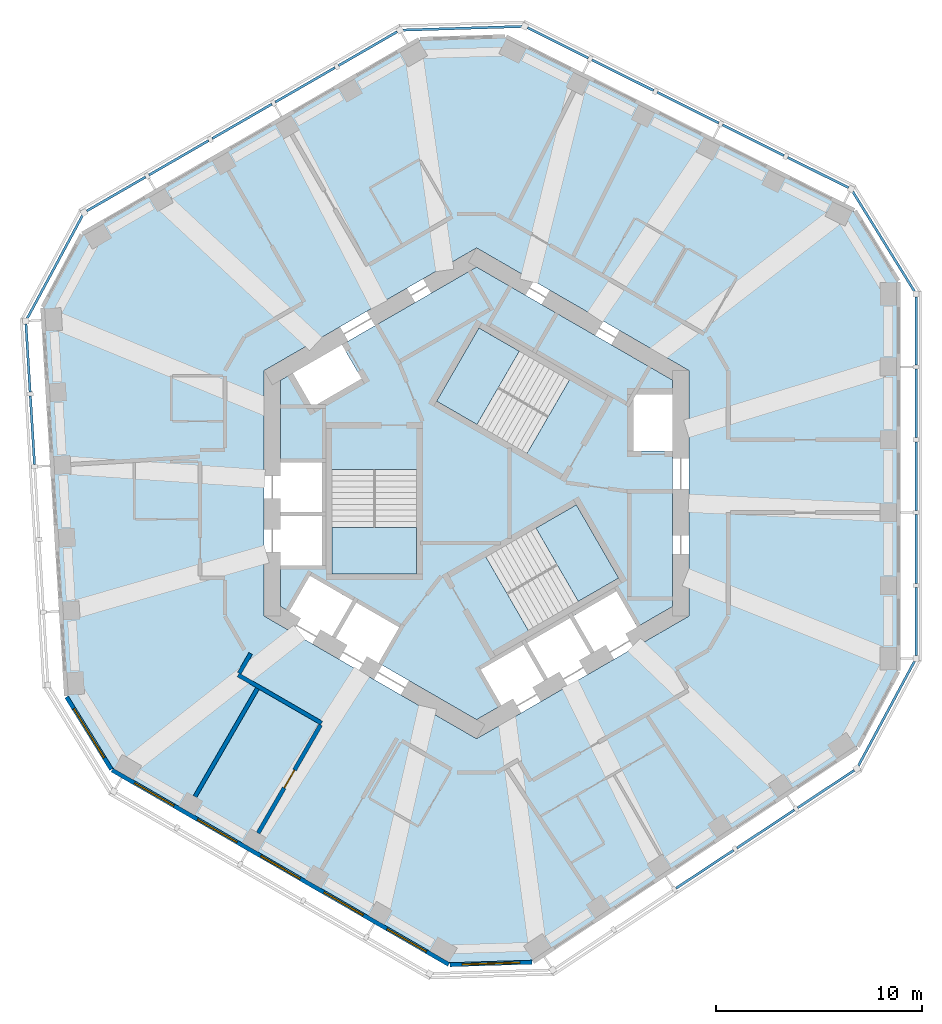
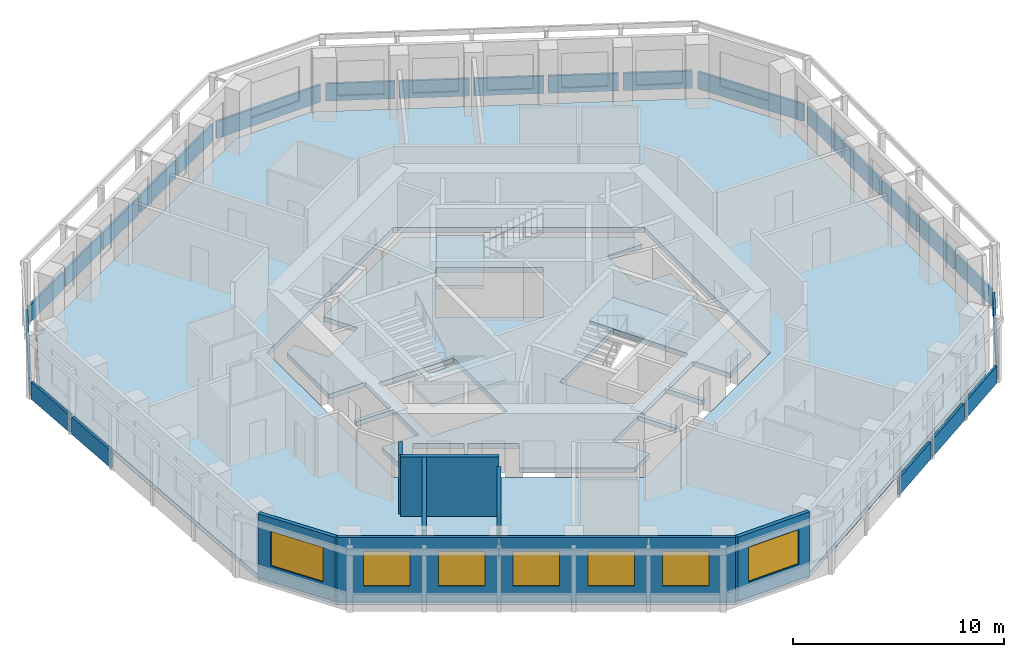
# One storey, part 3 of 11: 24 plates, 7 walls, 7 windows, 5 slabs, 1 door, 8 openings, 12 elements without a shape of their own.
"""IFC4 building model written with IfcOpenShell, lengths in metres."""

from ifc_helpers import new_model, si_unit, direction, frame, frame_2d, origin, origin_2d, place, context, subcontext, project, spatial, polyline, rectangle, outline, extrude, material, layer, layer_set, type_object, element, fill, aggregate, save


model = new_model("IFC4")

# Units and contexts
model_context = context("Model", 3, precision=1e-05, world=origin(), true_north=direction((0.0, 1.0)))
body_context = subcontext(model_context, "Body", "Model", "MODEL_VIEW")
ifc_project = project(units=[si_unit("LENGTHUNIT", "METRE"), si_unit("AREAUNIT", "SQUARE_METRE"), si_unit("VOLUMEUNIT", "CUBIC_METRE"), si_unit("PLANEANGLEUNIT", "RADIAN"), si_unit("MASSUNIT", "GRAM", prefix="KILO")], contexts=[model_context])

# Site, building, storey
site_placement = place(None, origin())
site = spatial("IfcSite", under=ifc_project, at=site_placement, CompositionType="ELEMENT")
building_placement = place(site_placement, origin())
building = spatial("IfcBuilding", under=site, at=building_placement, Name="Vanh Sen Convention Tower", CompositionType="ELEMENT")
storey_placement = place(building_placement, frame((0.0, 0.0, 229.10009765625)))
storey = spatial("IfcBuildingStorey", under=building, at=storey_placement, Name="L56", CompositionType="ELEMENT", Elevation=229.10009765625)

# Slabs
ifc_material_1 = material(Name="Concrete C40/50", Category="concrete")
ifc_layer_1 = layer(ifc_material_1, 0.280029296875)
ifc_layer_set_1 = layer_set([ifc_layer_1], Name="Concrete C40/50")
slab_type_1 = type_object("IfcSlabType", Name="Core slab 280", PredefinedType="FLOOR", material=ifc_layer_set_1)
slab_1_placement = place(storey_placement, frame((0.0, 0.0, -0.280029296875)))
element("IfcSlab", 1, at=slab_1_placement, inside=storey, type_object=slab_type_1, Name="Core slab L56", PredefinedType="FLOOR", context=body_context, shape_type="SweptSolid", body=[
    extrude(outline(polyline([(0.0, 10.9697265625), (9.5, 5.48486328125), (9.5, 4.800048828125), (7.60009765625, 4.800048828125), (7.60009765625, 2.050048828125), (9.5, 2.050048828125), (9.5, -5.48486328125), (7.781005859375, -6.477294921875), (6.781005859375, -4.7451171875), (4.70263671875, -5.9453125), (5.70263671875, -7.67724609375), (5.529296875, -7.777099609375), (4.529296875, -6.045166015625), (2.450927734375, -7.2451171875), (3.450927734375, -8.977294921875), (3.27783203125, -9.0771484375), (2.27783203125, -7.34521484375), (0.19921875, -8.545166015625), (1.19921875, -10.277099609375), (0.0, -10.9697265625), (-4.75, -8.227294921875), (-3.75, -6.4951171875), (-5.82861328125, -5.295166015625), (-6.82861328125, -7.027099609375), (-7.001708984375, -6.92724609375), (-6.001708984375, -5.1953125), (-8.080078125, -3.9951171875), (-9.080078125, -5.727294921875), (-9.5, -5.48486328125), (-9.5, -3.5), (-7.5, -3.5), (-7.5, -1.10009765625), (-9.5, -1.10009765625), (-9.5, -0.89990234375), (-7.5, -0.89990234375), (-7.5, 1.5), (-9.5, 1.5), (-9.5, 5.48486328125), (-8.906982421875, 5.8271484375), (-7.956787109375, 4.181884765625), (-5.575439453125, 5.556884765625), (-6.525390625, 7.2021484375), (0.0, 10.9697265625)]), holes=[polyline([(-7.0, 1.1494140625), (-7.0, -3.909912109375), (-2.89990234375, -3.909912109375), (-2.89990234375, 1.1494140625), (-7.0, 1.1494140625)]), polyline([(2.504638671875, -6.63671875), (6.88623046875, -4.107177734375), (4.836181640625, -0.556396484375), (0.45458984375, -3.086181640625), (2.504638671875, -6.63671875)]), polyline([(0.11376953125, 8.01708984375), (-1.936279296875, 4.466552734375), (2.4453125, 1.936767578125), (4.495361328125, 5.487548828125), (0.11376953125, 8.01708984375)])]), origin(), (0.0, 0.0, 1.0), 0.280029296875),
])
ifc_layer_2 = layer(ifc_material_1, 0.280029296875)
ifc_layer_set_2 = layer_set([ifc_layer_2], Name="Concrete C40/50")
slab_type_2 = type_object("IfcSlabType", Name="Floor slab 280 REI 120", PredefinedType="FLOOR", material=ifc_layer_set_2)
slab_2_placement = place(storey_placement, frame((0.0, 0.0, -0.280029296875)))
element("IfcSlab", 2, at=slab_2_placement, inside=storey, type_object=slab_type_2, Name="Floor slab L56 tower", PredefinedType="FLOOR", context=body_context, shape_type="SweptSolid", body=[
    extrude(outline(polyline([(20.39990234375, -8.602783203125), (20.39990234375, 10.265380859375), (18.289306640625, 13.67626953125), (1.403564453125, 22.09521484375), (-2.749755859375, 21.96826171875), (-19.090087890625, 12.5341796875), (-20.988525390625, 9.000732421875), (-19.8369140625, -9.83203125), (-17.650146484375, -13.365478515625), (-1.309814453125, -22.799560546875), (2.699462890625, -22.677001953125), (18.433349609375, -12.26318359375), (20.39990234375, -8.602783203125)]), holes=[polyline([(0.0, 11.893310546875), (-10.300048828125, 5.94677734375), (-10.300048828125, -5.94677734375), (0.0, -11.893310546875), (10.300048828125, -5.94677734375), (10.300048828125, 5.94677734375), (0.0, 11.893310546875)])]), origin(), (0.0, 0.0, 1.0), 0.280029296875),
])

# Curtain wall, plates
ifc_material_2 = material(Name="Concrete C50/60", Category="concrete")
curtain_wall_type = type_object("IfcCurtainWallType", Name="Outer skin office zone", PredefinedType="NOTDEFINED", material=ifc_material_2)
curtain_wall_1_placement = place(storey_placement, origin())
curtain_wall_1 = element("IfcCurtainWall", 3, at=curtain_wall_1_placement, inside=storey, type_object=curtain_wall_type, Name="OUTER SKIN E L56", PredefinedType="NOTDEFINED")
ifc_layer_3 = layer(ifc_material_2, 0.1201171875)
ifc_layer_set_3 = layer_set([ifc_layer_3], Name="Concrete C50/60")
plate_type = type_object("IfcPlateType", Name="Outer skin precast screen panel 120", PredefinedType="CURTAIN_PANEL", material=ifc_layer_set_3)
plate_1_placement = place(storey_placement, frame((21.300048828125, -6.2109375, 0.0), z_axis=(0.0, 0.0, 1.0), x_axis=(0.0, 1.0, 0.0)))
plate_1 = element("IfcPlate", 4, at=plate_1_placement, type_object=plate_type, Name="OUTER SKIN screen panel E-1", PredefinedType="CURTAIN_PANEL", context=body_context, shape_type="SweptSolid", body=[
    extrude(rectangle(XDim=3.28369140625, YDim=0.1201171875, at=origin_2d()), origin(), (0.0, 0.0, 1.0), 1.0),
])
plate_2_placement = place(storey_placement, frame((21.300048828125, -2.702392578125, 0.0), z_axis=(0.0, 0.0, 1.0), x_axis=(0.0, 1.0, 0.0)))
plate_2 = element("IfcPlate", 5, at=plate_2_placement, type_object=plate_type, Name="OUTER SKIN screen panel E-2", PredefinedType="CURTAIN_PANEL", context=body_context, shape_type="SweptSolid", body=[
    extrude(rectangle(XDim=3.333740234375, YDim=0.1201171875, at=origin_2d()), origin(), (0.0, 0.0, 1.0), 1.0),
])
plate_3_placement = place(storey_placement, frame((21.300048828125, 0.831298828125, 0.0), z_axis=(0.0, 0.0, 1.0), x_axis=(0.0, 1.0, 0.0)))
plate_3 = element("IfcPlate", 6, at=plate_3_placement, type_object=plate_type, Name="OUTER SKIN screen panel E-3", PredefinedType="CURTAIN_PANEL", context=body_context, shape_type="SweptSolid", body=[
    extrude(rectangle(XDim=3.33349609375, YDim=0.1201171875, at=origin_2d()), origin(), (0.0, 0.0, 1.0), 1.0),
])
plate_4_placement = place(storey_placement, frame((21.300048828125, 4.364990234375, 0.0), z_axis=(0.0, 0.0, 1.0), x_axis=(0.0, 1.0, 0.0)))
plate_4 = element("IfcPlate", 7, at=plate_4_placement, type_object=plate_type, Name="OUTER SKIN screen panel E-4", PredefinedType="CURTAIN_PANEL", context=body_context, shape_type="SweptSolid", body=[
    extrude(rectangle(XDim=3.33349609375, YDim=0.1201171875, at=origin_2d()), origin(), (0.0, 0.0, 1.0), 1.0),
])
plate_5_placement = place(storey_placement, frame((21.300048828125, 7.87353515625, 0.0), z_axis=(0.0, 0.0, 1.0), x_axis=(0.0, 1.0, 0.0)))
plate_5 = element("IfcPlate", 8, at=plate_5_placement, type_object=plate_type, Name="OUTER SKIN screen panel E-5", PredefinedType="CURTAIN_PANEL", context=body_context, shape_type="SweptSolid", body=[
    extrude(rectangle(XDim=3.28369140625, YDim=0.1201171875, at=origin_2d()), origin(), (0.0, 0.0, 1.0), 1.0),
])
aggregate(curtain_wall_1, [plate_1, plate_2, plate_3, plate_4, plate_5])

# Curtain wall, plate
curtain_wall_2_placement = place(storey_placement, origin())
curtain_wall_2 = element("IfcCurtainWall", 9, at=curtain_wall_2_placement, inside=storey, type_object=curtain_wall_type, Name="OUTER SKIN CH1 L56", PredefinedType="NOTDEFINED")
plate_6_placement = place(storey_placement, frame((19.726806640625, 12.20751953125, 0.0), z_axis=(0.0, 0.0, 1.0), x_axis=(-0.526216891938, 0.850350388157, 0.0)))
plate_6 = element("IfcPlate", 10, at=plate_6_placement, type_object=plate_type, Name="OUTER SKIN screen panel CH1-1", PredefinedType="CURTAIN_PANEL", context=body_context, shape_type="SweptSolid", body=[
    extrude(rectangle(XDim=5.6787109375, YDim=0.1201171875, at=origin_2d()), origin(), (0.0, 0.0, 1.0), 1.0),
])
aggregate(curtain_wall_2, [plate_6])

# Curtain wall, plates
curtain_wall_3_placement = place(storey_placement, origin())
curtain_wall_3 = element("IfcCurtainWall", 11, at=curtain_wall_3_placement, inside=storey, type_object=curtain_wall_type, Name="OUTER SKIN NE L56", PredefinedType="NOTDEFINED")
plate_7_placement = place(storey_placement, frame((16.55029296875, 15.549072265625, 0.0), z_axis=(0.0, 0.0, 1.0), x_axis=(-0.894930467757, 0.446205622868, 0.0)))
plate_7 = element("IfcPlate", 12, at=plate_7_placement, type_object=plate_type, Name="OUTER SKIN screen panel NE-1", PredefinedType="CURTAIN_PANEL", context=body_context, shape_type="SweptSolid", body=[
    extrude(rectangle(XDim=3.28369140625, YDim=0.1201171875, at=origin_2d()), origin(), (0.0, 0.0, 1.0), 1.0),
])
plate_8_placement = place(storey_placement, frame((13.410400390625, 17.114501953125, 0.0), z_axis=(0.0, 0.0, 1.0), x_axis=(-0.894935919121, 0.446194689197, 0.0)))
plate_8 = element("IfcPlate", 13, at=plate_8_placement, type_object=plate_type, Name="OUTER SKIN screen panel NE-2", PredefinedType="CURTAIN_PANEL", context=body_context, shape_type="SweptSolid", body=[
    extrude(rectangle(XDim=3.333740234375, YDim=0.1201171875, at=origin_2d()), origin(), (0.0, 0.0, 1.0), 1.0),
])
plate_9_placement = place(storey_placement, frame((10.248046875, 18.691162109375, 0.0), z_axis=(0.0, 0.0, 1.0), x_axis=(-0.894935919121, 0.446194689197, 0.0)))
plate_9 = element("IfcPlate", 14, at=plate_9_placement, type_object=plate_type, Name="OUTER SKIN screen panel NE-3", PredefinedType="CURTAIN_PANEL", context=body_context, shape_type="SweptSolid", body=[
    extrude(rectangle(XDim=3.333740234375, YDim=0.1201171875, at=origin_2d()), origin(), (0.0, 0.0, 1.0), 1.0),
])
plate_10_placement = place(storey_placement, frame((7.085693359375, 20.267822265625, 0.0), z_axis=(0.0, 0.0, 1.0), x_axis=(-0.894935919121, 0.446194689197, 0.0)))
plate_10 = element("IfcPlate", 15, at=plate_10_placement, type_object=plate_type, Name="OUTER SKIN screen panel NE-4", PredefinedType="CURTAIN_PANEL", context=body_context, shape_type="SweptSolid", body=[
    extrude(rectangle(XDim=3.333740234375, YDim=0.1201171875, at=origin_2d()), origin(), (0.0, 0.0, 1.0), 1.0),
])
plate_11_placement = place(storey_placement, frame((3.945556640625, 21.83349609375, 0.0), z_axis=(0.0, 0.0, 1.0), x_axis=(-0.894930467757, 0.446205622868, 0.0)))
plate_11 = element("IfcPlate", 16, at=plate_11_placement, type_object=plate_type, Name="OUTER SKIN screen panel NE-5", PredefinedType="CURTAIN_PANEL", context=body_context, shape_type="SweptSolid", body=[
    extrude(rectangle(XDim=3.28369140625, YDim=0.1201171875, at=origin_2d()), origin(), (0.0, 0.0, 1.0), 1.0),
])
aggregate(curtain_wall_3, [plate_7, plate_8, plate_9, plate_10, plate_11])

# Curtain wall, plate
curtain_wall_4_placement = place(storey_placement, origin())
curtain_wall_4 = element("IfcCurtainWall", 17, at=curtain_wall_4_placement, inside=storey, type_object=curtain_wall_type, Name="OUTER SKIN CH2 L56", PredefinedType="NOTDEFINED")
plate_12_placement = place(storey_placement, frame((-0.688720703125, 22.540283203125, 0.0), z_axis=(0.0, 0.0, 1.0), x_axis=(-0.999533430924, -0.030543746755, 0.0)))
plate_12 = element("IfcPlate", 18, at=plate_12_placement, type_object=plate_type, Name="OUTER SKIN screen panel CH2-1", PredefinedType="CURTAIN_PANEL", context=body_context, shape_type="SweptSolid", body=[
    extrude(rectangle(XDim=5.764404296875, YDim=0.1201171875, at=origin_2d()), origin(), (0.0, 0.0, 1.0), 1.0),
])
aggregate(curtain_wall_4, [plate_12])

# Curtain wall, plates
curtain_wall_5_placement = place(storey_placement, origin())
curtain_wall_5 = element("IfcCurtainWall", 19, at=curtain_wall_5_placement, inside=storey, type_object=curtain_wall_type, Name="OUTER SKIN NW L56", PredefinedType="NOTDEFINED")
plate_13_placement = place(storey_placement, frame((-5.271240234375, 21.5517578125, 0.0), z_axis=(0.0, 0.0, 1.0), x_axis=(-0.866026276448, -0.4999984885, 0.0)))
plate_13 = element("IfcPlate", 20, at=plate_13_placement, type_object=plate_type, Name="OUTER SKIN screen panel NW-1", PredefinedType="CURTAIN_PANEL", context=body_context, shape_type="SweptSolid", body=[
    extrude(rectangle(XDim=3.28369140625, YDim=0.1201171875, at=origin_2d()), origin(), (0.0, 0.0, 1.0), 1.0),
])
plate_14_placement = place(storey_placement, frame((-8.309814453125, 19.797607421875, 0.0), z_axis=(0.0, 0.0, 1.0), x_axis=(-0.866026276448, -0.4999984885, 0.0)))
plate_14 = element("IfcPlate", 21, at=plate_14_placement, type_object=plate_type, Name="OUTER SKIN screen panel NW-2", PredefinedType="CURTAIN_PANEL", context=body_context, shape_type="SweptSolid", body=[
    extrude(rectangle(XDim=3.33349609375, YDim=0.1201171875, at=origin_2d()), origin(), (0.0, 0.0, 1.0), 1.0),
])
plate_15_placement = place(storey_placement, frame((-11.369873046875, 18.03076171875, 0.0), z_axis=(0.0, 0.0, 1.0), x_axis=(-0.866026276448, -0.4999984885, 0.0)))
plate_15 = element("IfcPlate", 22, at=plate_15_placement, type_object=plate_type, Name="OUTER SKIN screen panel NW-3", PredefinedType="CURTAIN_PANEL", context=body_context, shape_type="SweptSolid", body=[
    extrude(rectangle(XDim=3.33349609375, YDim=0.1201171875, at=origin_2d()), origin(), (0.0, 0.0, 1.0), 1.0),
])
plate_16_placement = place(storey_placement, frame((-14.43017578125, 16.263916015625, 0.0), z_axis=(0.0, 0.0, 1.0), x_axis=(-0.866014058921, -0.500019649364, 0.0)))
plate_16 = element("IfcPlate", 23, at=plate_16_placement, type_object=plate_type, Name="OUTER SKIN screen panel NW-4", PredefinedType="CURTAIN_PANEL", context=body_context, shape_type="SweptSolid", body=[
    extrude(rectangle(XDim=3.333740234375, YDim=0.1201171875, at=origin_2d()), origin(), (0.0, 0.0, 1.0), 1.0),
])
plate_17_placement = place(storey_placement, frame((-17.46875, 14.509521484375, 0.0), z_axis=(0.0, 0.0, 1.0), x_axis=(-0.866033257659, -0.499986396443, 0.0)))
plate_17 = element("IfcPlate", 24, at=plate_17_placement, type_object=plate_type, Name="OUTER SKIN screen panel NW-5", PredefinedType="CURTAIN_PANEL", context=body_context, shape_type="SweptSolid", body=[
    extrude(rectangle(XDim=3.28369140625, YDim=0.1201171875, at=origin_2d()), origin(), (0.0, 0.0, 1.0), 1.0),
])
aggregate(curtain_wall_5, [plate_13, plate_14, plate_15, plate_16, plate_17])

# Curtain wall, plate
curtain_wall_6_placement = place(storey_placement, origin())
curtain_wall_6 = element("IfcCurtainWall", 25, at=curtain_wall_6_placement, inside=storey, type_object=curtain_wall_type, Name="OUTER SKIN CH3 L56", PredefinedType="NOTDEFINED")
plate_18_placement = place(storey_placement, frame((-20.435302734375, 10.980224609375, 0.0), z_axis=(0.0, 0.0, 1.0), x_axis=(-0.473307367584, -0.880897346909, 0.0)))
plate_18 = element("IfcPlate", 26, at=plate_18_placement, type_object=plate_type, Name="OUTER SKIN screen panel CH3-1", PredefinedType="CURTAIN_PANEL", context=body_context, shape_type="SweptSolid", body=[
    extrude(rectangle(XDim=5.6787109375, YDim=0.1201171875, at=origin_2d()), origin(), (0.0, 0.0, 1.0), 1.0),
])
aggregate(curtain_wall_6, [plate_18])

# Curtain wall, plates
curtain_wall_7_placement = place(storey_placement, origin())
curtain_wall_7 = element("IfcCurtainWall", 27, at=curtain_wall_7_placement, inside=storey, type_object=curtain_wall_type, Name="OUTER SKIN W L56", PredefinedType="NOTDEFINED")
plate_19_placement = place(storey_placement, frame((-21.740966796875, 6.55859375, 0.0), z_axis=(0.0, 0.0, 1.0), x_axis=(0.061043313312, -0.998135118058, 0.0)))
plate_19 = element("IfcPlate", 28, at=plate_19_placement, type_object=plate_type, Name="OUTER SKIN screen panel W-1", PredefinedType="CURTAIN_PANEL", context=body_context, shape_type="SweptSolid", body=[
    extrude(rectangle(XDim=3.28369140625, YDim=0.1201171875, at=origin_2d()), origin(), (0.0, 0.0, 1.0), 1.0),
])
plate_20_placement = place(storey_placement, frame((-21.526611328125, 3.056396484375, 0.0), z_axis=(0.0, 0.0, 1.0), x_axis=(0.061041571238, -0.998135224597, 0.0)))
plate_20 = element("IfcPlate", 29, at=plate_20_placement, type_object=plate_type, Name="OUTER SKIN screen panel W-2", PredefinedType="CURTAIN_PANEL", context=body_context, shape_type="SweptSolid", body=[
    extrude(rectangle(XDim=3.333740234375, YDim=0.1201171875, at=origin_2d()), origin(), (0.0, 0.0, 1.0), 1.0),
])
aggregate(curtain_wall_7, [plate_19, plate_20])

curtain_wall_8_placement = place(storey_placement, origin())
curtain_wall_8 = element("IfcCurtainWall", 30, at=curtain_wall_8_placement, inside=storey, type_object=curtain_wall_type, Name="OUTER SKIN SE L56", PredefinedType="NOTDEFINED")
plate_21_placement = place(storey_placement, frame((11.06298828125, -18.220703125, 0.0), z_axis=(0.0, 0.0, 1.0), x_axis=(0.833896418343, 0.551920975752, 0.0)))
plate_21 = element("IfcPlate", 31, at=plate_21_placement, type_object=plate_type, Name="OUTER SKIN screen panel SE-3", PredefinedType="CURTAIN_PANEL", context=body_context, shape_type="SweptSolid", body=[
    extrude(rectangle(XDim=3.333740234375, YDim=0.1201171875, at=origin_2d()), origin(), (0.0, 0.0, 1.0), 1.0),
])
plate_22_placement = place(storey_placement, frame((14.009765625, -16.270263671875, 0.0), z_axis=(0.0, 0.0, 1.0), x_axis=(0.833874262143, 0.551954450055, 0.0)))
plate_22 = element("IfcPlate", 32, at=plate_22_placement, type_object=plate_type, Name="OUTER SKIN screen panel SE-4", PredefinedType="CURTAIN_PANEL", context=body_context, shape_type="SweptSolid", body=[
    extrude(rectangle(XDim=3.33349609375, YDim=0.1201171875, at=origin_2d()), origin(), (0.0, 0.0, 1.0), 1.0),
])
plate_23_placement = place(storey_placement, frame((16.935546875, -14.333740234375, 0.0), z_axis=(0.0, 0.0, 1.0), x_axis=(0.833896418343, 0.551920975752, 0.0)))
plate_23 = element("IfcPlate", 33, at=plate_23_placement, type_object=plate_type, Name="OUTER SKIN screen panel SE-5", PredefinedType="CURTAIN_PANEL", context=body_context, shape_type="SweptSolid", body=[
    extrude(rectangle(XDim=3.28369140625, YDim=0.1201171875, at=origin_2d()), origin(), (0.0, 0.0, 1.0), 1.0),
])
aggregate(curtain_wall_8, [plate_21, plate_22, plate_23])

# Curtain wall, plate
curtain_wall_9_placement = place(storey_placement, origin())
curtain_wall_9 = element("IfcCurtainWall", 34, at=curtain_wall_9_placement, inside=storey, type_object=curtain_wall_type, Name="OUTER SKIN CH6 L56", PredefinedType="NOTDEFINED")
plate_24_placement = place(storey_placement, frame((19.864990234375, -10.673828125, 0.0), z_axis=(0.0, 0.0, 1.0), x_axis=(0.473313517396, 0.880894042579, 0.0)))
plate_24 = element("IfcPlate", 35, at=plate_24_placement, type_object=plate_type, Name="OUTER SKIN screen panel CH6-1", PredefinedType="CURTAIN_PANEL", context=body_context, shape_type="SweptSolid", body=[
    extrude(rectangle(XDim=5.76416015625, YDim=0.1201171875, at=origin_2d()), origin(), (0.0, 0.0, 1.0), 1.0),
])
aggregate(curtain_wall_9, [plate_24])

# Stair, slab
ifc_material_3 = material(Name="Concrete C50/60", Category="concrete")
stair_type_1 = type_object("IfcStairType", Name="Exit stair ST1 22 risers at 168.2", PredefinedType="HALF_TURN_STAIR", material=ifc_material_3)
stair_1_placement = place(storey_placement, origin())
stair_1 = element("IfcStair", 36, at=stair_1_placement, inside=storey, type_object=stair_type_1, Name="Exit stair ST1 L56", PredefinedType="HALF_TURN_STAIR")
ifc_layer_4 = layer(ifc_material_1, 0.199951171875)
ifc_layer_set_4 = layer_set([ifc_layer_4], Name="Concrete C40/50")
slab_type_3 = type_object("IfcSlabType", Name="Stair landing 200", PredefinedType="LANDING", material=ifc_layer_set_4)
slab_3_placement = place(storey_placement, frame((0.0, 0.0, 1.64990234375)))
slab_3 = element("IfcSlab", 37, at=slab_3_placement, type_object=slab_type_3, Name="ST1 landing 1", PredefinedType="LANDING", context=body_context, shape_type="SweptSolid", body=[
    extrude(outline(polyline([(2.07177734375, 6.88671875), (0.11376953125, 8.01708984375), (-1.936279296875, 4.466552734375), (0.021728515625, 3.336181640625), (2.07177734375, 6.88671875)])), origin(), (0.0, 0.0, 1.0), 0.199951171875),
])
aggregate(stair_1, [slab_3])

stair_type_2 = type_object("IfcStairType", Name="Exit stair ST2 22 risers at 168.2", PredefinedType="HALF_TURN_STAIR", material=ifc_material_3)
stair_2_placement = place(storey_placement, origin())
stair_2 = element("IfcStair", 38, at=stair_2_placement, inside=storey, type_object=stair_type_2, Name="Exit stair ST2 L56", PredefinedType="HALF_TURN_STAIR")
slab_4_placement = place(storey_placement, frame((0.0, 0.0, 1.64990234375)))
slab_4 = element("IfcSlab", 39, at=slab_4_placement, type_object=slab_type_3, Name="ST2 landing 1", PredefinedType="LANDING", context=body_context, shape_type="SweptSolid", body=[
    extrude(outline(polyline([(-7.0, -1.6494140625), (-7.0, -3.909912109375), (-2.89990234375, -3.909912109375), (-2.89990234375, -1.6494140625), (-7.0, -1.6494140625)])), origin(), (0.0, 0.0, 1.0), 0.199951171875),
])
aggregate(stair_2, [slab_4])

stair_type_3 = type_object("IfcStairType", Name="Exit stair ST3 22 risers at 168.2", PredefinedType="HALF_TURN_STAIR", material=ifc_material_3)
stair_3_placement = place(storey_placement, origin())
stair_3 = element("IfcStair", 40, at=stair_3_placement, inside=storey, type_object=stair_type_3, Name="Exit stair ST3 L56", PredefinedType="HALF_TURN_STAIR")
slab_5_placement = place(storey_placement, frame((0.0, 0.0, 1.64990234375)))
slab_5 = element("IfcSlab", 41, at=slab_5_placement, type_object=slab_type_3, Name="ST3 landing 1", PredefinedType="LANDING", context=body_context, shape_type="SweptSolid", body=[
    extrude(outline(polyline([(4.92822265625, -5.237548828125), (6.88623046875, -4.107177734375), (4.836181640625, -0.556396484375), (2.87841796875, -1.686767578125), (4.92822265625, -5.237548828125)])), origin(), (0.0, 0.0, 1.0), 0.199951171875),
])
aggregate(stair_3, [slab_5])

# Walls
ifc_material_4 = material(Name="Gypsum board on steel studs with mineral wool", Category="steel")
ifc_layer_5 = layer(ifc_material_4, 0.199951171875)
ifc_layer_set_5 = layer_set([ifc_layer_5], Name="Gypsum board on steel studs with mineral wool")
wall_type_1 = type_object("IfcWallType", Name="Corridor partition wall 200", PredefinedType="PARTITIONING", material=ifc_layer_set_5)
wall_1_placement = place(storey_placement, frame((-11.551025390625, -8.80517578125, 0.0), z_axis=(0.0, 0.0, 1.0), x_axis=(0.866038310922, -0.499977643516, 0.0)))
element("IfcWall", 42, at=wall_1_placement, inside=storey, type_object=wall_type_1, Name="Corridor partition wall 200", PredefinedType="PARTITIONING", context=body_context, shape_type="SweptSolid", body=[
    extrude(rectangle(XDim=4.665283203125, YDim=0.199951171875, at=frame_2d((2.33251953125, 0.0))), origin(), (0.0, 0.0, 1.0), 3.419921875),
])
wall_2_placement = place(storey_placement, frame((-10.95068359375, -7.764892578125, 0.0), z_axis=(0.0, 0.0, 1.0), x_axis=(-0.499978356969, -0.866037899034, 0.0)))
element("IfcWall", 43, at=wall_2_placement, inside=storey, type_object=wall_type_1, Name="Corridor partition wall 200", PredefinedType="PARTITIONING", context=body_context, shape_type="SweptSolid", body=[
    extrude(rectangle(XDim=1.10107421875, YDim=0.199951171875, at=frame_2d((0.550537109375, 0.0))), origin(), (0.0, 0.0, 1.0), 3.419921875),
])

# Wall, opening, door
wall_3_placement = place(storey_placement, frame((-10.585205078125, -16.462890625, 0.0), z_axis=(0.0, 0.0, 1.0), x_axis=(0.499993802756, 0.866028981735, 0.0)))
wall_3 = element("IfcWall", 44, at=wall_3_placement, inside=storey, type_object=wall_type_1, Name="Corridor partition wall 200", PredefinedType="PARTITIONING", context=body_context, shape_type="SweptSolid", body=[
    extrude(rectangle(XDim=6.048828125, YDim=0.199951171875, at=frame_2d((3.0244140625, 0.0))), origin(), (0.0, 0.0, 1.0), 2.869873046875),
])
opening_1_placement = place(wall_3_placement, frame((2.5244140625, 0.0, 0.0)))
opening_1 = element("IfcOpeningElement", 45, at=opening_1_placement, cuts=wall_3, Name="Opening D56111", PredefinedType="OPENING", context=body_context, shape_type="SweptSolid", body=[
    extrude(rectangle(XDim=1.0, YDim=2.10009765625, at=frame_2d((0.5, 1.050048828125))), frame((0.0, 0.10986328125, 0.0), z_axis=(0.0, -1.0, 0.0), x_axis=(1.0, 0.0, 0.0)), (0.0, 0.0, 1.0), 0.219970703125),
])
ifc_material_5 = material(Name="Glazed fire door in steel frame", Category="steel")
door_type = type_object("IfcDoorType", Name="Tenant entrance door 1000", OperationType="SINGLE_SWING_LEFT", PredefinedType="DOOR", material=ifc_material_5)
door_placement = place(opening_1_placement, origin())
door = element("IfcDoor", 46, at=door_placement, inside=storey, type_object=door_type, Name="Tenant suite entrance door D56111", OperationType="SINGLE_SWING_LEFT", OverallHeight=2.10009765625, OverallWidth=1.0, PredefinedType="DOOR", context=body_context, shape_type="SweptSolid", body=[
    extrude(rectangle(XDim=1.0, YDim=2.10009765625, at=frame_2d((0.5, 1.050048828125))), frame((0.0, 0.02490234375, 0.0), z_axis=(0.0, -1.0, 0.0), x_axis=(1.0, 0.0, 0.0)), (0.0, 0.0, 1.0), 0.050048828125),
])
fill(opening_1, door)

# Wall, opening, window
ifc_material_6 = material(Name="Insulated lightweight infill wall")
ifc_layer_6 = layer(ifc_material_6, 0.199951171875)
ifc_layer_set_6 = layer_set([ifc_layer_6], Name="Insulated lightweight infill wall")
wall_type_2 = type_object("IfcWallType", Name="External wall 200", PredefinedType="STANDARD", material=ifc_layer_set_6)
wall_4_placement = place(storey_placement, frame((-19.872802734375, -9.869140625, 0.0), z_axis=(0.0, 0.0, 1.0), x_axis=(0.52626914263, -0.850318051975, 0.0)))
wall_4 = element("IfcWall", 47, at=wall_4_placement, inside=storey, type_object=wall_type_2, Name="External wall CH4 L56", PredefinedType="STANDARD", context=body_context, shape_type="SweptSolid", body=[
    extrude(rectangle(XDim=4.130126953125, YDim=0.199951171875, at=frame_2d((2.06494140625, 0.0))), origin(), (0.0, 0.0, 1.0), 3.699951171875),
])
opening_2_placement = place(wall_4_placement, frame((0.6650390625, 0.0, 0.89990234375)))
opening_2 = element("IfcOpeningElement", 48, at=opening_2_placement, cuts=wall_4, Name="Opening WO4-CH41", PredefinedType="OPENING", context=body_context, shape_type="SweptSolid", body=[
    extrude(rectangle(XDim=2.800048828125, YDim=2.0, at=frame_2d((1.39990234375, 1.0))), frame((0.0, 0.10986328125, 0.0), z_axis=(0.0, -1.0, 0.0), x_axis=(1.0, 0.0, 0.0)), (0.0, 0.0, 1.0), 0.219970703125),
])
ifc_material_7 = material(Name="Aluminium frame with clear low-emissivity glass", Category="aluminium")
window_type_1 = type_object("IfcWindowType", Name="Office window 2800 x 2000", PartitioningType="SINGLE_PANEL", PredefinedType="WINDOW", material=ifc_material_7)
window_1_placement = place(opening_2_placement, origin())
window_1 = element("IfcWindow", 49, at=window_1_placement, inside=storey, type_object=window_type_1, Name="Window WO4-CH41", OverallHeight=2.0, OverallWidth=2.800048828125, PartitioningType="SINGLE_PANEL", PredefinedType="WINDOW", context=body_context, shape_type="SweptSolid", body=[
    extrude(rectangle(XDim=2.800048828125, YDim=2.0, at=frame_2d((1.39990234375, 1.0))), frame((0.0, 0.030029296875, 0.0), z_axis=(0.0, -1.0, 0.0), x_axis=(1.0, 0.0, 0.0)), (0.0, 0.0, 1.0), 0.06005859375),
])
fill(opening_2, window_1)

# Wall, openings, windows
wall_5_placement = place(storey_placement, frame((-17.664306640625, -13.4150390625, 0.0), z_axis=(0.0, 0.0, 1.0), x_axis=(0.866026555358, -0.49999800541, 0.0)))
wall_5 = element("IfcWall", 50, at=wall_5_placement, inside=storey, type_object=wall_type_2, Name="External wall SW L56", PredefinedType="STANDARD", context=body_context, shape_type="SweptSolid", body=[
    extrude(rectangle(XDim=18.84130859375, YDim=0.199951171875, at=frame_2d((9.420654296875, 0.0))), origin(), (0.0, 0.0, 1.0), 3.699951171875),
])
opening_3_placement = place(wall_5_placement, frame((1.254150390625, 0.0, 0.89990234375)))
opening_3 = element("IfcOpeningElement", 51, at=opening_3_placement, cuts=wall_5, Name="Opening WO3-SW1", PredefinedType="OPENING", context=body_context, shape_type="SweptSolid", body=[
    extrude(rectangle(XDim=2.199951171875, YDim=2.0, at=frame_2d((1.10009765625, 1.0))), frame((0.0, 0.10986328125, 0.0), z_axis=(0.0, -1.0, 0.0), x_axis=(1.0, 0.0, 0.0)), (0.0, 0.0, 1.0), 0.219970703125),
])
opening_4_placement = place(wall_5_placement, frame((4.787841796875, 0.0, 0.89990234375)))
opening_4 = element("IfcOpeningElement", 52, at=opening_4_placement, cuts=wall_5, Name="Opening WO3-SW2", PredefinedType="OPENING", context=body_context, shape_type="SweptSolid", body=[
    extrude(rectangle(XDim=2.199951171875, YDim=2.0, at=frame_2d((1.10009765625, 1.0))), frame((0.0, 0.10986328125, 0.0), z_axis=(0.0, -1.0, 0.0), x_axis=(1.0, 0.0, 0.0)), (0.0, 0.0, 1.0), 0.219970703125),
])
opening_5_placement = place(wall_5_placement, frame((8.321533203125, 0.0, 0.89990234375)))
opening_5 = element("IfcOpeningElement", 53, at=opening_5_placement, cuts=wall_5, Name="Opening WO3-SW3", PredefinedType="OPENING", context=body_context, shape_type="SweptSolid", body=[
    extrude(rectangle(XDim=2.199951171875, YDim=2.0, at=frame_2d((1.10009765625, 1.0))), frame((0.0, 0.10986328125, 0.0), z_axis=(0.0, -1.0, 0.0), x_axis=(1.0, 0.0, 0.0)), (0.0, 0.0, 1.0), 0.219970703125),
])
opening_6_placement = place(wall_5_placement, frame((11.85498046875, 0.0, 0.89990234375)))
opening_6 = element("IfcOpeningElement", 54, at=opening_6_placement, cuts=wall_5, Name="Opening WO3-SW4", PredefinedType="OPENING", context=body_context, shape_type="SweptSolid", body=[
    extrude(rectangle(XDim=2.199951171875, YDim=2.0, at=frame_2d((1.10009765625, 1.0))), frame((0.0, 0.10986328125, 0.0), z_axis=(0.0, -1.0, 0.0), x_axis=(1.0, 0.0, 0.0)), (0.0, 0.0, 1.0), 0.219970703125),
])
opening_7_placement = place(wall_5_placement, frame((15.388671875, 0.0, 0.89990234375)))
opening_7 = element("IfcOpeningElement", 55, at=opening_7_placement, cuts=wall_5, Name="Opening WO3-SW5", PredefinedType="OPENING", context=body_context, shape_type="SweptSolid", body=[
    extrude(rectangle(XDim=2.199951171875, YDim=2.0, at=frame_2d((1.10009765625, 1.0))), frame((0.0, 0.10986328125, 0.0), z_axis=(0.0, -1.0, 0.0), x_axis=(1.0, 0.0, 0.0)), (0.0, 0.0, 1.0), 0.219970703125),
])
window_type_2 = type_object("IfcWindowType", Name="Office window 2200 x 2000", PartitioningType="SINGLE_PANEL", PredefinedType="WINDOW", material=ifc_material_7)
window_2_placement = place(opening_3_placement, origin())
window_2 = element("IfcWindow", 56, at=window_2_placement, inside=storey, type_object=window_type_2, Name="Window WO3-SW1", OverallHeight=2.0, OverallWidth=2.199951171875, PartitioningType="SINGLE_PANEL", PredefinedType="WINDOW", context=body_context, shape_type="SweptSolid", body=[
    extrude(rectangle(XDim=2.199951171875, YDim=2.0, at=frame_2d((1.10009765625, 1.0))), frame((0.0, 0.030029296875, 0.0), z_axis=(0.0, -1.0, 0.0), x_axis=(1.0, 0.0, 0.0)), (0.0, 0.0, 1.0), 0.06005859375),
])
fill(opening_3, window_2)
window_3_placement = place(opening_4_placement, origin())
window_3 = element("IfcWindow", 57, at=window_3_placement, inside=storey, type_object=window_type_2, Name="Window WO3-SW2", OverallHeight=2.0, OverallWidth=2.199951171875, PartitioningType="SINGLE_PANEL", PredefinedType="WINDOW", context=body_context, shape_type="SweptSolid", body=[
    extrude(rectangle(XDim=2.199951171875, YDim=2.0, at=frame_2d((1.10009765625, 1.0))), frame((0.0, 0.030029296875, 0.0), z_axis=(0.0, -1.0, 0.0), x_axis=(1.0, 0.0, 0.0)), (0.0, 0.0, 1.0), 0.06005859375),
])
fill(opening_4, window_3)
window_4_placement = place(opening_5_placement, origin())
window_4 = element("IfcWindow", 58, at=window_4_placement, inside=storey, type_object=window_type_2, Name="Window WO3-SW3", OverallHeight=2.0, OverallWidth=2.199951171875, PartitioningType="SINGLE_PANEL", PredefinedType="WINDOW", context=body_context, shape_type="SweptSolid", body=[
    extrude(rectangle(XDim=2.199951171875, YDim=2.0, at=frame_2d((1.10009765625, 1.0))), frame((0.0, 0.030029296875, 0.0), z_axis=(0.0, -1.0, 0.0), x_axis=(1.0, 0.0, 0.0)), (0.0, 0.0, 1.0), 0.06005859375),
])
fill(opening_5, window_4)
window_5_placement = place(opening_6_placement, origin())
window_5 = element("IfcWindow", 59, at=window_5_placement, inside=storey, type_object=window_type_2, Name="Window WO3-SW4", OverallHeight=2.0, OverallWidth=2.199951171875, PartitioningType="SINGLE_PANEL", PredefinedType="WINDOW", context=body_context, shape_type="SweptSolid", body=[
    extrude(rectangle(XDim=2.199951171875, YDim=2.0, at=frame_2d((1.10009765625, 1.0))), frame((0.0, 0.030029296875, 0.0), z_axis=(0.0, -1.0, 0.0), x_axis=(1.0, 0.0, 0.0)), (0.0, 0.0, 1.0), 0.06005859375),
])
fill(opening_6, window_5)
window_6_placement = place(opening_7_placement, origin())
window_6 = element("IfcWindow", 60, at=window_6_placement, inside=storey, type_object=window_type_2, Name="Window WO3-SW5", OverallHeight=2.0, OverallWidth=2.199951171875, PartitioningType="SINGLE_PANEL", PredefinedType="WINDOW", context=body_context, shape_type="SweptSolid", body=[
    extrude(rectangle(XDim=2.199951171875, YDim=2.0, at=frame_2d((1.10009765625, 1.0))), frame((0.0, 0.030029296875, 0.0), z_axis=(0.0, -1.0, 0.0), x_axis=(1.0, 0.0, 0.0)), (0.0, 0.0, 1.0), 0.06005859375),
])
fill(opening_7, window_6)

# Wall, opening, window
wall_6_placement = place(storey_placement, frame((-1.294189453125, -22.84912109375, 0.0), z_axis=(0.0, 0.0, 1.0), x_axis=(0.999533952558, 0.030526671678, 0.0)))
wall_6 = element("IfcWall", 61, at=wall_6_placement, inside=storey, type_object=wall_type_2, Name="External wall CH5 L56", PredefinedType="STANDARD", context=body_context, shape_type="SweptSolid", body=[
    extrude(rectangle(XDim=3.98291015625, YDim=0.199951171875, at=frame_2d((1.991455078125, 0.0))), origin(), (0.0, 0.0, 1.0), 3.699951171875),
])
opening_8_placement = place(wall_6_placement, frame((0.59130859375, 0.0, 0.89990234375)))
opening_8 = element("IfcOpeningElement", 62, at=opening_8_placement, cuts=wall_6, Name="Opening WO4-CH51", PredefinedType="OPENING", context=body_context, shape_type="SweptSolid", body=[
    extrude(rectangle(XDim=2.800048828125, YDim=2.0, at=frame_2d((1.39990234375, 1.0))), frame((0.0, 0.10986328125, 0.0), z_axis=(0.0, -1.0, 0.0), x_axis=(1.0, 0.0, 0.0)), (0.0, 0.0, 1.0), 0.219970703125),
])
window_7_placement = place(opening_8_placement, origin())
window_7 = element("IfcWindow", 63, at=window_7_placement, inside=storey, type_object=window_type_1, Name="Window WO4-CH51", OverallHeight=2.0, OverallWidth=2.800048828125, PartitioningType="SINGLE_PANEL", PredefinedType="WINDOW", context=body_context, shape_type="SweptSolid", body=[
    extrude(rectangle(XDim=2.800048828125, YDim=2.0, at=frame_2d((1.39990234375, 1.0))), frame((0.0, 0.030029296875, 0.0), z_axis=(0.0, -1.0, 0.0), x_axis=(1.0, 0.0, 0.0)), (0.0, 0.0, 1.0), 0.06005859375),
])
fill(opening_8, window_7)

# Wall
ifc_layer_7 = layer(ifc_material_4, 0.199951171875)
ifc_layer_set_7 = layer_set([ifc_layer_7], Name="Gypsum board on steel studs with mineral wool")
wall_type_3 = type_object("IfcWallType", Name="Tenant suite wall 200", PredefinedType="PARTITIONING", material=ifc_layer_set_7)
wall_7_placement = place(storey_placement, frame((-13.6455078125, -14.6962890625, 0.0), z_axis=(0.0, 0.0, 1.0), x_axis=(0.500006596359, 0.866021595341, 0.0)))
element("IfcWall", 64, at=wall_7_placement, inside=storey, type_object=wall_type_3, Name="Tenant suite wall 200", PredefinedType="PARTITIONING", context=body_context, shape_type="SweptSolid", body=[
    extrude(rectangle(XDim=6.04931640625, YDim=0.199951171875, at=frame_2d((3.024658203125, 0.0))), origin(), (0.0, 0.0, 1.0), 3.419921875),
])

save(model, "model.ifc")
